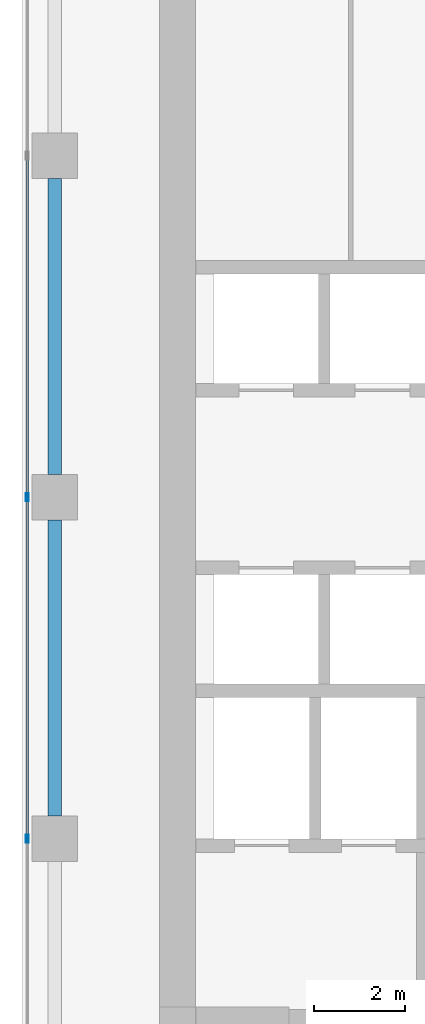
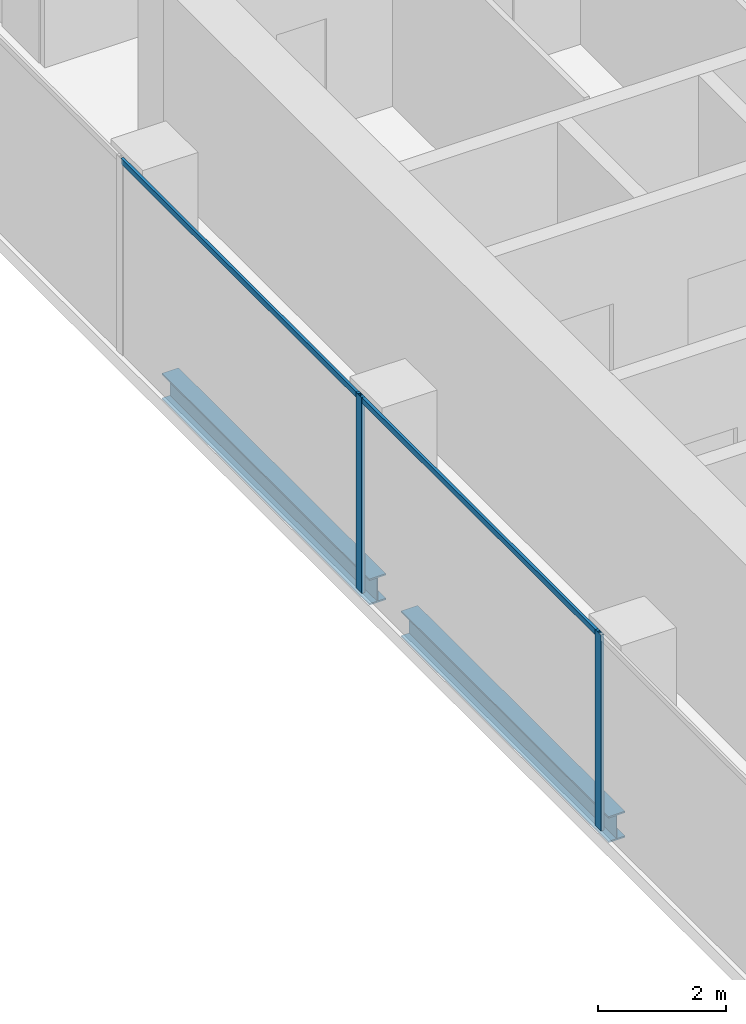
# One storey, part 6 of 40: 4 members, 2 beams, 1 element without a shape of its own.
"""IFC4 building model written with IfcOpenShell, lengths in metres."""

from ifc_helpers import new_model, si_unit, direction, frame, origin, origin_2d, place, context, subcontext, project, spatial, hollow_rectangle, i_section, extrude, source, transform, mapped, material, material_profile, profile_set, type_object, element, aggregate, save


model = new_model("IFC4")

# Units and contexts
model_context = context("Model", 3, precision=1e-05, world=origin(), true_north=direction((0.0, 1.0)))
body_context = subcontext(model_context, "Body", "Model", "MODEL_VIEW")
ifc_project = project(units=[si_unit("LENGTHUNIT", "METRE"), si_unit("AREAUNIT", "SQUARE_METRE"), si_unit("VOLUMEUNIT", "CUBIC_METRE"), si_unit("PLANEANGLEUNIT", "RADIAN"), si_unit("MASSUNIT", "GRAM", prefix="KILO")], contexts=[model_context])

# Site, building, storey
site_placement = place(None, origin())
site = spatial("IfcSite", under=ifc_project, at=site_placement, CompositionType="ELEMENT")
building_placement = place(site_placement, origin())
building = spatial("IfcBuilding", under=site, at=building_placement, Name="Khomas Fold Tower", CompositionType="ELEMENT")
storey_placement = place(building_placement, frame((0.0, 0.0, 180.699951171875)))
storey = spatial("IfcBuildingStorey", under=building, at=storey_placement, Name="L39", CompositionType="ELEMENT", Elevation=180.699951171875)

# Beams
ifc_material_1 = material(Name="Steel S355", Category="steel")
ifc_material_profile_1 = material_profile(ifc_material_1, i_section(OverallWidth=0.300048828125, OverallDepth=0.5, WebThickness=0.014404296875, FlangeThickness=0.028076171875, at=origin_2d()), Name="HE 500 B")
ifc_profile_set_1 = profile_set([ifc_material_profile_1], Name="Steel S355")
beam_type = type_object("IfcBeamType", Name="HE 500 B spandrel SB3", PredefinedType="SPANDREL", material=ifc_profile_set_1)
shared_shape_1 = source(origin(), body_context, "Body", "SweptSolid", [
    extrude(i_section(OverallWidth=0.300048828125, OverallDepth=0.5, WebThickness=0.014404296875, FlangeThickness=0.028076171875, at=origin_2d()), origin(), (0.0, 0.0, 1.0), 6.5),
])
for number, where, z_axis, x_axis, name in (
    (1, (3.699951171875, 27.5, -0.5), (0.0, 1.0, 0.0), (-1.0, 0.0, 0.0), "SB3"),
    (2, (3.699951171875, 20.0, -0.5), (0.0, 1.0, 0.0), (-1.0, 0.0, 0.0), "SB3"),
):
    element("IfcBeam", number, at=place(storey_placement, frame(where, z_axis=z_axis, x_axis=x_axis)), inside=storey, type_object=beam_type, Name=name, PredefinedType="SPANDREL", context=body_context, shape_type="MappedRepresentation", body=[
        mapped(shared_shape_1, transform((0.0, 0.0, 0.0))),
    ])

# Curtain wall, members
ifc_material_2 = material(Name="Aluminium framed double glazing", Category="aluminium")
curtain_wall_type = type_object("IfcCurtainWallType", Name="SK-Unitised clear-glass wall, office floors CW2", PredefinedType="NOTDEFINED", material=ifc_material_2)
curtain_wall_placement = place(storey_placement, origin())
curtain_wall = element("IfcCurtainWall", 3, at=curtain_wall_placement, inside=storey, type_object=curtain_wall_type, Name="CW2 run L39 18-0", PredefinedType="NOTDEFINED")
ifc_material_3 = material(Name="Aluminium", Category="aluminium")
ifc_material_profile_2 = material_profile(ifc_material_3, hollow_rectangle(XDim=0.06005859375, YDim=0.179931640625, WallThickness=0.00390625, at=origin_2d()), Name="SK-Unitised clear-glass wall, office floors mullion CW2-M")
ifc_profile_set_2 = profile_set([ifc_material_profile_2], Name="Aluminium")
member_type_1 = type_object("IfcMemberType", Name="SK-Unitised clear-glass wall, office floors mullion CW2-M", PredefinedType="MULLION", material=ifc_profile_set_2)
shared_shape_2 = source(origin(), body_context, "Body", "SweptSolid", [
    extrude(hollow_rectangle(XDim=0.06005859375, YDim=0.179931640625, WallThickness=0.00390625, at=origin_2d()), origin(), (0.0, 0.0, 1.0), 3.75),
])
member_1_placement = place(storey_placement, frame((3.10009765625, 27.0, 0.0), z_axis=(0.0, 0.0, 1.0), x_axis=(1.0, 0.0, 0.0)))
member_1 = element("IfcMember", 4, at=member_1_placement, type_object=member_type_1, Name="CW2 mullion 5", PredefinedType="MULLION", context=body_context, shape_type="MappedRepresentation", body=[
    mapped(shared_shape_2, transform((0.0, 0.0, 0.0))),
])
member_2_placement = place(storey_placement, frame((3.10009765625, 19.5, 0.0), z_axis=(0.0, 0.0, 1.0), x_axis=(1.0, 0.0, 0.0)))
member_2 = element("IfcMember", 5, at=member_2_placement, type_object=member_type_1, Name="CW2 mullion 6", PredefinedType="MULLION", context=body_context, shape_type="MappedRepresentation", body=[
    mapped(shared_shape_2, transform((0.0, 0.0, 0.0))),
])
ifc_material_4 = material(Name="Aluminium", Category="aluminium")
ifc_material_profile_3 = material_profile(ifc_material_4, hollow_rectangle(XDim=0.050048828125, YDim=0.110107421875, WallThickness=0.00390625, at=origin_2d()), Name="SK-Unitised clear-glass wall, office floors transom CW2-T")
ifc_profile_set_3 = profile_set([ifc_material_profile_3], Name="Aluminium")
member_type_2 = type_object("IfcMemberType", Name="SK-Unitised clear-glass wall, office floors transom CW2-T", PredefinedType="USERDEFINED", material=ifc_profile_set_3)
shared_shape_3 = source(origin(), body_context, "Body", "SweptSolid", [
    extrude(hollow_rectangle(XDim=0.050048828125, YDim=0.110107421875, WallThickness=0.00390625, at=origin_2d()), origin(), (0.0, 0.0, 1.0), 7.43994140625),
])
member_3_placement = place(storey_placement, frame((3.10009765625, 34.469970703125, 3.695068359375), z_axis=(0.0, -1.0, 0.0), x_axis=(1.0, 0.0, 0.0)))
member_3 = element("IfcMember", 6, at=member_3_placement, type_object=member_type_2, Name="CW2 transom 4", ObjectType="TRANSOM", PredefinedType="USERDEFINED", context=body_context, shape_type="MappedRepresentation", body=[
    mapped(shared_shape_3, transform((0.0, 0.0, 0.0))),
])
member_4_placement = place(storey_placement, frame((3.10009765625, 26.969970703125, 3.695068359375), z_axis=(0.0, -1.0, 0.0), x_axis=(1.0, 0.0, 0.0)))
member_4 = element("IfcMember", 7, at=member_4_placement, type_object=member_type_2, Name="CW2 transom 5", ObjectType="TRANSOM", PredefinedType="USERDEFINED", context=body_context, shape_type="MappedRepresentation", body=[
    mapped(shared_shape_3, transform((0.0, 0.0, 0.0))),
])
aggregate(curtain_wall, [member_1, member_2, member_3, member_4])

save(model, "model.ifc")
